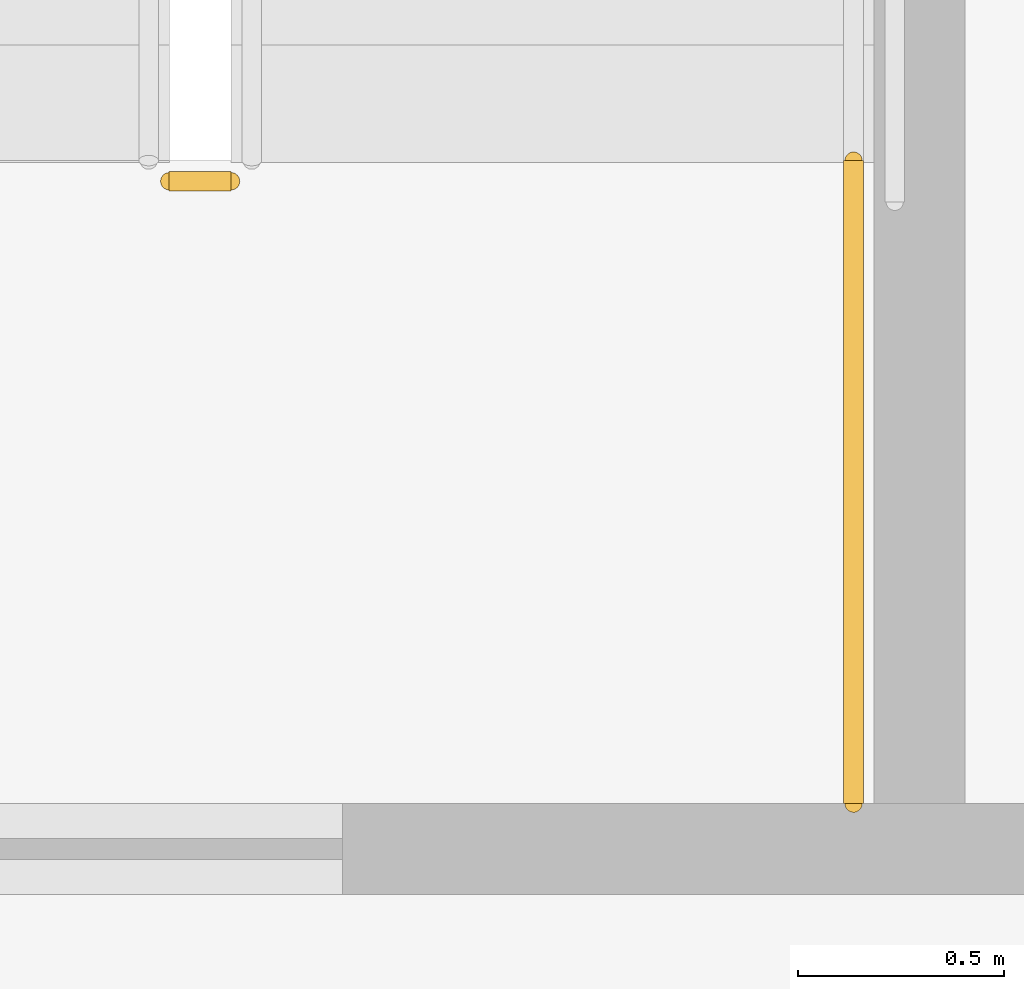
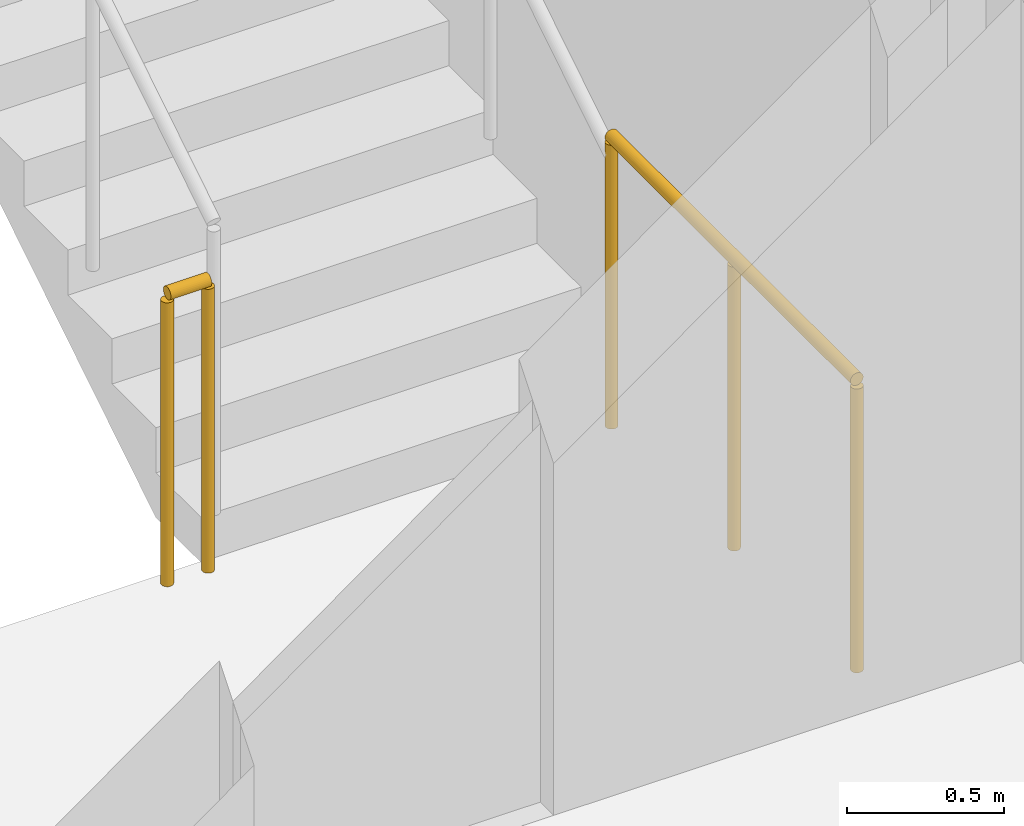
# One storey, part 12 of 15: 2 railings.
"""IFC4 building model written with IfcOpenShell, lengths in metres."""

from ifc_helpers import new_model, si_unit, direction, frame, origin, origin_2d, place, context, subcontext, project, spatial, circle, extrude, material, type_object, element, save


model = new_model("IFC4")

# Units and contexts
model_context = context("Model", 3, precision=1e-05, world=origin(), true_north=direction((0.0, 1.0)))
body_context = subcontext(model_context, "Body", "Model", "MODEL_VIEW")
ifc_project = project(units=[si_unit("LENGTHUNIT", "METRE"), si_unit("AREAUNIT", "SQUARE_METRE"), si_unit("VOLUMEUNIT", "CUBIC_METRE"), si_unit("PLANEANGLEUNIT", "RADIAN"), si_unit("MASSUNIT", "GRAM", prefix="KILO")], contexts=[model_context])

# Site, building, storey
site_placement = place(None, origin())
site = spatial("IfcSite", under=ifc_project, at=site_placement, CompositionType="ELEMENT")
building_placement = place(site_placement, origin())
building = spatial("IfcBuilding", under=site, at=building_placement, Name="Khairoan Windgate Tower", CompositionType="ELEMENT")
storey_placement = place(building_placement, frame((0.0, 0.0, 47.0)))
storey = spatial("IfcBuildingStorey", under=building, at=storey_placement, Name="L11", CompositionType="ELEMENT", Elevation=47.0)

# Railings
ifc_material = material(Name="Steel S355", Category="steel")
railing_type = type_object("IfcRailingType", Name="Stairwell Safety Guardrail SGR-1150", PredefinedType="GUARDRAIL", material=ifc_material)
railing_1_placement = place(storey_placement, frame((-17.7099609375, 2.909912109375, 0.0)))
element("IfcRailing", 1, at=railing_1_placement, inside=storey, type_object=railing_type, Name="L11 ST2 stair guard 7", PredefinedType="GUARDRAIL", context=body_context, shape_type="SweptSolid", body=[
    extrude(circle(Radius=0.02392578125, at=origin_2d()), frame((0.0, 0.0, 1.1259765625), z_axis=(-1.0, 0.0, 0.0), x_axis=(0.0, -1.0, 0.0)), (0.0, 0.0, 1.0), 0.150146484375),
    extrude(circle(Radius=0.02099609375, at=origin_2d()), origin(), (0.0, 0.0, 1.0), 1.101806640625),
    extrude(circle(Radius=0.02099609375, at=origin_2d()), frame((-0.150146484375, 0.0, 0.0)), (0.0, 0.0, 1.0), 1.101806640625),
])
railing_2_placement = place(storey_placement, frame((-16.199951171875, 1.39990234375, 0.0)))
element("IfcRailing", 2, at=railing_2_placement, inside=storey, type_object=railing_type, Name="L11 ST2 stair guard 8", PredefinedType="GUARDRAIL", context=body_context, shape_type="SweptSolid", body=[
    extrude(circle(Radius=0.02392578125, at=origin_2d()), frame((0.0, 0.0, 1.1259765625), z_axis=(0.0, 1.0, 0.0), x_axis=(-1.0, 0.0, 0.0)), (0.0, 0.0, 1.0), 1.56005859375),
    extrude(circle(Radius=0.02099609375, at=origin_2d()), origin(), (0.0, 0.0, 1.0), 1.101806640625),
    extrude(circle(Radius=0.02099609375, at=origin_2d()), frame((0.0, 0.780029296875, 0.0)), (0.0, 0.0, 1.0), 1.101806640625),
    extrude(circle(Radius=0.02099609375, at=origin_2d()), frame((0.0, 1.56005859375, 0.0)), (0.0, 0.0, 1.0), 1.101806640625),
])

save(model, "model.ifc")
